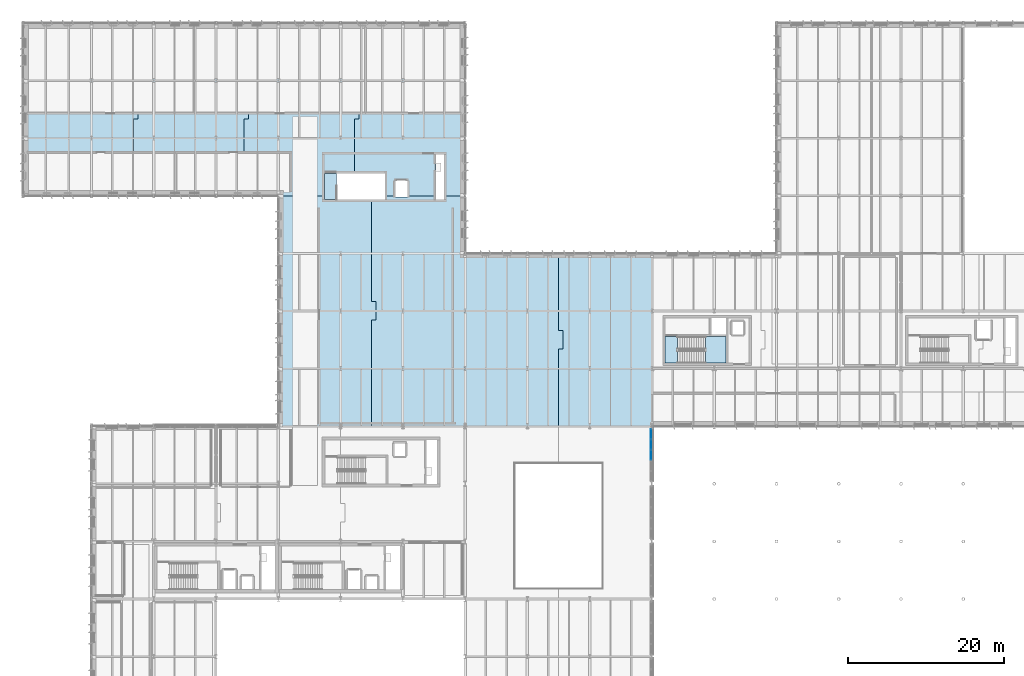
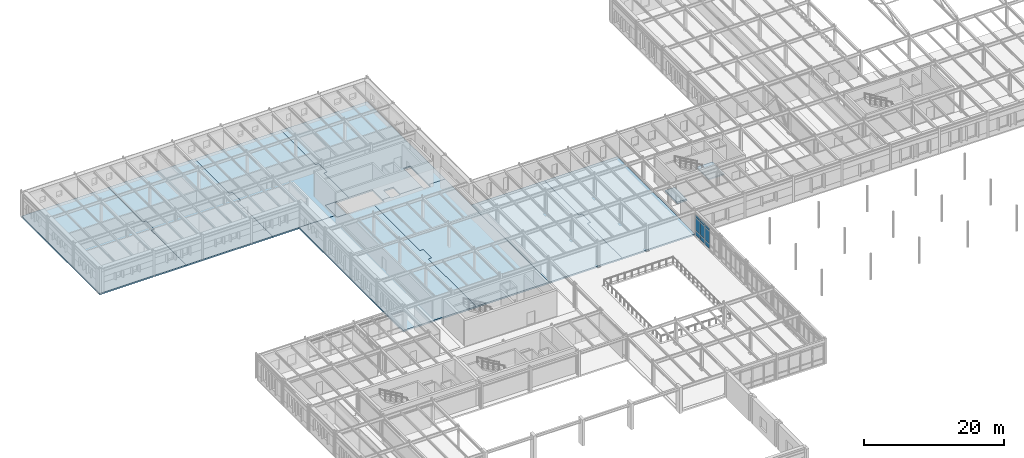
# One storey, part 31 of 75: 11 slabs, 9 plates, 2 elements without a shape of their own.
"""IFC4 building model written with IfcOpenShell, lengths in metres."""

from ifc_helpers import new_model, si_unit, direction, frame, origin, origin_2d, place, context, subcontext, project, spatial, polyline, rectangle, outline, extrude, material, layer, layer_set, type_object, element, aggregate, save


model = new_model("IFC4")

# Units and contexts
model_context = context("Model", 3, precision=1e-05, world=origin(), true_north=direction((0.0, 1.0)))
body_context = subcontext(model_context, "Body", "Model", "MODEL_VIEW")
ifc_project = project(units=[si_unit("LENGTHUNIT", "METRE"), si_unit("AREAUNIT", "SQUARE_METRE"), si_unit("VOLUMEUNIT", "CUBIC_METRE"), si_unit("PLANEANGLEUNIT", "RADIAN"), si_unit("MASSUNIT", "GRAM", prefix="KILO")], contexts=[model_context])

# Site, building, storey
site_placement = place(None, origin())
site = spatial("IfcSite", under=ifc_project, at=site_placement, CompositionType="ELEMENT")
building_placement = place(site_placement, origin())
building = spatial("IfcBuilding", under=site, at=building_placement, Name="Valkorina Park Police Headquarters", CompositionType="ELEMENT")
storey_placement = place(building_placement, frame((0.0, 0.0, 5.39990234375)))
storey = spatial("IfcBuildingStorey", under=building, at=storey_placement, Name="L02", CompositionType="ELEMENT", Elevation=5.39990234375)

# Curtain wall, plates
ifc_material_1 = material(Name="Thermally broken aluminium AW-6060", Category="aluminium")
ifc_layer_1 = layer(ifc_material_1, 0.18994140625)
ifc_layer_set_1 = layer_set([ifc_layer_1], Name="Thermally broken aluminium AW-6060")
curtain_wall_type = type_object("IfcCurtainWallType", Name="CW-V4-6780x3680", PredefinedType="NOTDEFINED", material=ifc_layer_set_1)
curtain_wall_placement = place(storey_placement, origin())
curtain_wall = element("IfcCurtainWall", 1, at=curtain_wall_placement, inside=storey, type_object=curtain_wall_type, Name="L02 Unitised Curtain Wall 009", PredefinedType="NOTDEFINED")
ifc_material_2 = material(Name="Triple low-E insulated glazing", Category="glass")
ifc_layer_2 = layer(ifc_material_2, 0.0380859375)
ifc_layer_set_2 = layer_set([ifc_layer_2], Name="Triple low-E insulated glazing")
plate_type_1 = type_object("IfcPlateType", Name="PL-CWP-ACOUST-38", PredefinedType="CURTAIN_PANEL", material=ifc_layer_set_2)
plate_1_placement = place(storey_placement, frame((80.679931640625, 58.19189453125, 0.93994140625), z_axis=(0.0, 0.0, 1.0), x_axis=(0.0, -1.0, 0.0)))
plate_1 = element("IfcPlate", 2, at=plate_1_placement, type_object=plate_type_1, Name="CW-V4-678-368 panel 1.2", PredefinedType="CURTAIN_PANEL", context=body_context, shape_type="SweptSolid", body=[
    extrude(rectangle(XDim=1.236083984375, YDim=0.0380859375, at=origin_2d()), origin(), (0.0, 0.0, 1.0), 2.179931640625),
])
plate_2_placement = place(storey_placement, frame((80.679931640625, 58.19189453125, 3.2001953125), z_axis=(0.0, 0.0, 1.0), x_axis=(0.0, -1.0, 0.0)))
plate_2 = element("IfcPlate", 3, at=plate_2_placement, type_object=plate_type_1, Name="CW-V4-678-368 panel 1.3", PredefinedType="CURTAIN_PANEL", context=body_context, shape_type="SweptSolid", body=[
    extrude(rectangle(XDim=1.236083984375, YDim=0.0380859375, at=origin_2d()), origin(), (0.0, 0.0, 1.0), 0.39990234375),
])
plate_3_placement = place(storey_placement, frame((80.679931640625, 56.85595703125, 0.93994140625), z_axis=(0.0, 0.0, 1.0), x_axis=(0.0, -1.0, 0.0)))
plate_3 = element("IfcPlate", 4, at=plate_3_placement, type_object=plate_type_1, Name="CW-V4-678-368 panel 2.2", PredefinedType="CURTAIN_PANEL", context=body_context, shape_type="SweptSolid", body=[
    extrude(rectangle(XDim=1.27587890625, YDim=0.0380859375, at=origin_2d()), origin(), (0.0, 0.0, 1.0), 2.179931640625),
])
plate_4_placement = place(storey_placement, frame((80.679931640625, 56.85595703125, 3.2001953125), z_axis=(0.0, 0.0, 1.0), x_axis=(0.0, -1.0, 0.0)))
plate_4 = element("IfcPlate", 5, at=plate_4_placement, type_object=plate_type_1, Name="CW-V4-678-368 panel 2.3", PredefinedType="CURTAIN_PANEL", context=body_context, shape_type="SweptSolid", body=[
    extrude(rectangle(XDim=1.27587890625, YDim=0.0380859375, at=origin_2d()), origin(), (0.0, 0.0, 1.0), 0.39990234375),
])
plate_5_placement = place(storey_placement, frame((80.679931640625, 55.5, 0.93994140625), z_axis=(0.0, 0.0, 1.0), x_axis=(0.0, -1.0, 0.0)))
plate_5 = element("IfcPlate", 6, at=plate_5_placement, type_object=plate_type_1, Name="CW-V4-678-368 panel 3.2", PredefinedType="CURTAIN_PANEL", context=body_context, shape_type="SweptSolid", body=[
    extrude(rectangle(XDim=1.27587890625, YDim=0.0380859375, at=origin_2d()), origin(), (0.0, 0.0, 1.0), 2.179931640625),
])
plate_6_placement = place(storey_placement, frame((80.679931640625, 55.5, 3.2001953125), z_axis=(0.0, 0.0, 1.0), x_axis=(0.0, -1.0, 0.0)))
plate_6 = element("IfcPlate", 7, at=plate_6_placement, type_object=plate_type_1, Name="CW-V4-678-368 panel 3.3", PredefinedType="CURTAIN_PANEL", context=body_context, shape_type="SweptSolid", body=[
    extrude(rectangle(XDim=1.27587890625, YDim=0.0380859375, at=origin_2d()), origin(), (0.0, 0.0, 1.0), 0.39990234375),
])
ifc_layer_3 = layer(ifc_material_1, 0.06494140625)
ifc_layer_set_3 = layer_set([ifc_layer_3], Name="Thermally broken aluminium AW-6060")
plate_type_2 = type_object("IfcPlateType", Name="PL-CWP-INSUL-65", PredefinedType="CURTAIN_PANEL", material=ifc_layer_set_3)
plate_7_placement = place(storey_placement, frame((80.679931640625, 58.19189453125, 0.080078125), z_axis=(0.0, 0.0, 1.0), x_axis=(0.0, -1.0, 0.0)))
plate_7 = element("IfcPlate", 8, at=plate_7_placement, type_object=plate_type_2, Name="CW-V4-678-368 panel 1.1", PredefinedType="CURTAIN_PANEL", context=body_context, shape_type="SweptSolid", body=[
    extrude(rectangle(XDim=1.236083984375, YDim=0.0380859375, at=origin_2d()), origin(), (0.0, 0.0, 1.0), 0.780029296875),
])
plate_8_placement = place(storey_placement, frame((80.679931640625, 56.85595703125, 0.080078125), z_axis=(0.0, 0.0, 1.0), x_axis=(0.0, -1.0, 0.0)))
plate_8 = element("IfcPlate", 9, at=plate_8_placement, type_object=plate_type_2, Name="CW-V4-678-368 panel 2.1", PredefinedType="CURTAIN_PANEL", context=body_context, shape_type="SweptSolid", body=[
    extrude(rectangle(XDim=1.27587890625, YDim=0.0380859375, at=origin_2d()), origin(), (0.0, 0.0, 1.0), 0.780029296875),
])
plate_9_placement = place(storey_placement, frame((80.679931640625, 55.5, 0.080078125), z_axis=(0.0, 0.0, 1.0), x_axis=(0.0, -1.0, 0.0)))
plate_9 = element("IfcPlate", 10, at=plate_9_placement, type_object=plate_type_2, Name="CW-V4-678-368 panel 3.1", PredefinedType="CURTAIN_PANEL", context=body_context, shape_type="SweptSolid", body=[
    extrude(rectangle(XDim=1.27587890625, YDim=0.0380859375, at=origin_2d()), origin(), (0.0, 0.0, 1.0), 0.780029296875),
])
aggregate(curtain_wall, [plate_7, plate_1, plate_2, plate_8, plate_3, plate_4, plate_9, plate_5, plate_6])

# Stair, slab
ifc_material_3 = material(Name="Concrete C35/45", Category="concrete")
stair_type = type_object("IfcStairType", Name="ST-DOGLEG-160-45", PredefinedType="HALF_TURN_STAIR", material=ifc_material_3)
stair_placement = place(storey_placement, origin())
stair = element("IfcStair", 11, at=stair_placement, inside=storey, type_object=stair_type, Name="L02 Core C6 Protected Stair (ST-03)", PredefinedType="HALF_TURN_STAIR")
ifc_layer_4 = layer(ifc_material_3, 0.22998046875)
ifc_layer_set_4 = layer_set([ifc_layer_4], Name="Concrete C35/45")
slab_type_1 = type_object("IfcSlabType", Name="SL-LANDING-230", PredefinedType="LANDING", material=ifc_layer_set_4)
slab_1_placement = place(storey_placement, frame((0.0, 0.0, 2.02001953125)))
slab_1 = element("IfcSlab", 12, at=slab_1_placement, type_object=slab_type_1, Name="ST-03 landing 1", PredefinedType="LANDING", context=body_context, shape_type="SweptSolid", body=[
    extrude(outline(polyline([(87.699951171875, 67.300048828125), (90.300048828125, 67.300048828125), (90.300048828125, 70.699951171875), (87.699951171875, 70.699951171875), (87.699951171875, 67.300048828125)])), origin(), (0.0, 0.0, 1.0), 0.22998046875),
])
aggregate(stair, [slab_1])

# Slabs
ifc_layer_5 = layer(ifc_material_3, 0.260009765625)
ifc_layer_set_5 = layer_set([ifc_layer_5], Name="Concrete C35/45")
slab_type_2 = type_object("IfcSlabType", Name="SL-PODIUM-260", PredefinedType="FLOOR", material=ifc_layer_set_5)
slab_2_placement = place(storey_placement, frame((0.0, 0.0, -0.260009765625)))
element("IfcSlab", 13, at=slab_2_placement, inside=storey, type_object=slab_type_2, Name="L02 Structural Floor Slab 40", PredefinedType="FLOOR", context=body_context, shape_type="SweptSolid", body=[
    extrude(outline(polyline([(68.800048828125, 59.241943359375), (68.800048828125, 69.12109375), (69.35009765625, 69.12109375), (69.35009765625, 71.52099609375), (68.800048828125, 71.52099609375), (68.800048828125, 81.39990234375), (56.800048828125, 81.39990234375), (56.800048828125, 59.241943359375), (68.800048828125, 59.241943359375)])), origin(), (0.0, 0.0, 1.0), 0.260009765625),
])
slab_3_placement = place(storey_placement, frame((0.0, 0.0, -0.260009765625)))
element("IfcSlab", 14, at=slab_3_placement, inside=storey, type_object=slab_type_2, Name="L02 Structural Floor Slab 41", PredefinedType="FLOOR", context=body_context, shape_type="SweptSolid", body=[
    extrude(outline(polyline([(68.800048828125, 81.39990234375), (68.800048828125, 71.52099609375), (69.35009765625, 71.52099609375), (69.35009765625, 69.12109375), (68.800048828125, 69.12109375), (68.800048828125, 59.241943359375), (80.800048828125, 59.241943359375), (80.800048828125, 81.39990234375), (68.800048828125, 81.39990234375)])), origin(), (0.0, 0.0, 1.0), 0.260009765625),
])
slab_4_placement = place(storey_placement, frame((0.0, 0.0, -0.260009765625)))
element("IfcSlab", 15, at=slab_4_placement, inside=storey, type_object=slab_type_2, Name="L02 Structural Floor Slab 42", PredefinedType="FLOOR", context=body_context, shape_type="SweptSolid", body=[
    extrude(outline(polyline([(44.800048828125, 59.241943359375), (44.800048828125, 72.821044921875), (45.35009765625, 72.821044921875), (45.35009765625, 75.220947265625), (44.800048828125, 75.220947265625), (44.800048828125, 88.300048828125), (38.699951171875, 88.300048828125), (38.699951171875, 88.800048828125), (32.800048828125, 88.800048828125), (32.800048828125, 59.241943359375), (44.800048828125, 59.241943359375)])), origin(), (0.0, 0.0, 1.0), 0.260009765625),
])
slab_5_placement = place(storey_placement, frame((0.0, 0.0, -0.260009765625)))
element("IfcSlab", 16, at=slab_5_placement, inside=storey, type_object=slab_type_2, Name="L02 Structural Floor Slab 43", PredefinedType="FLOOR", context=body_context, shape_type="SweptSolid", body=[
    extrude(outline(polyline([(46.5, 88.800048828125), (46.5, 88.300048828125), (44.800048828125, 88.300048828125), (44.800048828125, 75.220947265625), (45.35009765625, 75.220947265625), (45.35009765625, 72.821044921875), (44.800048828125, 72.821044921875), (44.800048828125, 59.241943359375), (56.800048828125, 59.241943359375), (56.800048828125, 88.800048828125), (54.10009765625, 88.800048828125), (54.10009765625, 88.300048828125), (53.0, 88.300048828125), (53.0, 88.800048828125), (49.39990234375, 88.800048828125), (49.39990234375, 88.64990234375), (47.800048828125, 88.64990234375), (47.800048828125, 88.800048828125), (46.5, 88.800048828125)])), origin(), (0.0, 0.0, 1.0), 0.260009765625),
])
slab_6_placement = place(storey_placement, frame((0.0, 0.0, -0.260009765625)))
element("IfcSlab", 17, at=slab_6_placement, inside=storey, type_object=slab_type_2, Name="L02 Structural Floor Slab 44", PredefinedType="FLOOR", context=body_context, shape_type="SweptSolid", body=[
    extrude(outline(polyline([(14.199951171875, 88.800048828125), (14.199951171875, 98.699951171875), (14.75, 98.699951171875), (14.75, 101.10009765625), (14.199951171875, 101.10009765625), (14.199951171875, 111.0), (0.0, 111.0), (0.0, 88.800048828125), (14.199951171875, 88.800048828125)])), origin(), (0.0, 0.0, 1.0), 0.260009765625),
])
slab_7_placement = place(storey_placement, frame((0.0, 0.0, -0.260009765625)))
element("IfcSlab", 18, at=slab_7_placement, inside=storey, type_object=slab_type_2, Name="L02 Structural Floor Slab 45", PredefinedType="FLOOR", context=body_context, shape_type="SweptSolid", body=[
    extrude(outline(polyline([(28.39990234375, 111.0), (14.199951171875, 111.0), (14.199951171875, 101.10009765625), (14.75, 101.10009765625), (14.75, 98.699951171875), (14.199951171875, 98.699951171875), (14.199951171875, 88.800048828125), (28.39990234375, 88.800048828125), (28.39990234375, 98.699951171875), (28.949951171875, 98.699951171875), (28.949951171875, 101.10009765625), (28.39990234375, 101.10009765625), (28.39990234375, 111.0)])), origin(), (0.0, 0.0, 1.0), 0.260009765625),
])
slab_8_placement = place(storey_placement, frame((0.0, 0.0, -0.260009765625)))
element("IfcSlab", 19, at=slab_8_placement, inside=storey, type_object=slab_type_2, Name="L02 Structural Floor Slab 46", PredefinedType="FLOOR", context=body_context, shape_type="SweptSolid", body=[
    extrude(outline(polyline([(42.60009765625, 111.0), (28.39990234375, 111.0), (28.39990234375, 101.10009765625), (28.949951171875, 101.10009765625), (28.949951171875, 98.699951171875), (28.39990234375, 98.699951171875), (28.39990234375, 88.800048828125), (38.699951171875, 88.800048828125), (38.699951171875, 91.699951171875), (42.60009765625, 91.699951171875), (42.60009765625, 98.699951171875), (43.14990234375, 98.699951171875), (43.14990234375, 101.10009765625), (42.60009765625, 101.10009765625), (42.60009765625, 111.0)])), origin(), (0.0, 0.0, 1.0), 0.260009765625),
])
slab_9_placement = place(storey_placement, frame((0.0, 0.0, -0.260009765625)))
element("IfcSlab", 20, at=slab_9_placement, inside=storey, type_object=slab_type_2, Name="L02 Structural Floor Slab 47", PredefinedType="FLOOR", context=body_context, shape_type="SweptSolid", body=[
    extrude(outline(polyline([(42.60009765625, 111.0), (42.60009765625, 101.10009765625), (43.14990234375, 101.10009765625), (43.14990234375, 98.699951171875), (42.60009765625, 98.699951171875), (42.60009765625, 91.699951171875), (46.5, 91.699951171875), (46.5, 88.800048828125), (47.800048828125, 88.800048828125), (47.800048828125, 90.75), (49.39990234375, 90.75), (49.39990234375, 88.800048828125), (53.0, 88.800048828125), (53.0, 94.10009765625), (54.10009765625, 94.10009765625), (54.10009765625, 88.800048828125), (56.800048828125, 88.800048828125), (56.800048828125, 111.0), (42.60009765625, 111.0)])), origin(), (0.0, 0.0, 1.0), 0.260009765625),
])
ifc_material_4 = material(Name="Concrete C40/50", Category="concrete")
ifc_layer_6 = layer(ifc_material_4, 0.300048828125)
ifc_layer_set_6 = layer_set([ifc_layer_6], Name="Concrete C40/50")
slab_type_3 = type_object("IfcSlabType", Name="SL-VAULT-300", PredefinedType="FLOOR", material=ifc_layer_set_6)
slab_10_placement = place(storey_placement, frame((0.0, 0.0, -0.2998046875)))
element("IfcSlab", 21, at=slab_10_placement, inside=storey, type_object=slab_type_3, Name="L02 Core C4 Structural Floor Landing Slab", PredefinedType="FLOOR", context=body_context, shape_type="SweptSolid", body=[
    extrude(outline(polyline([(38.699951171875, 88.300048828125), (40.300048828125, 88.300048828125), (40.300048828125, 91.699951171875), (38.699951171875, 91.699951171875), (38.699951171875, 88.300048828125)])), origin(), (0.0, 0.0, 1.0), 0.2998046875),
])
slab_11_placement = place(storey_placement, frame((0.0, 0.0, -0.2998046875)))
element("IfcSlab", 22, at=slab_11_placement, inside=storey, type_object=slab_type_3, Name="L02 Core C6 Structural Floor Landing Slab", PredefinedType="FLOOR", context=body_context, shape_type="SweptSolid", body=[
    extrude(outline(polyline([(82.5, 67.300048828125), (84.10009765625, 67.300048828125), (84.10009765625, 70.699951171875), (82.5, 70.699951171875), (82.5, 67.300048828125)])), origin(), (0.0, 0.0, 1.0), 0.2998046875),
])

save(model, "model.ifc")
